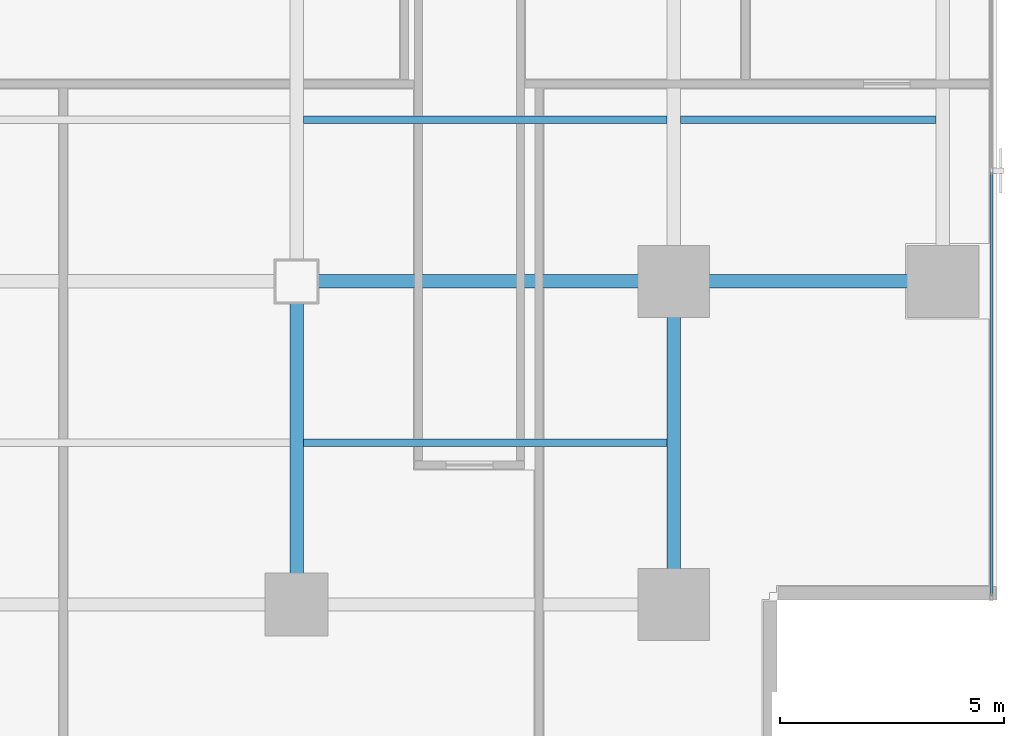
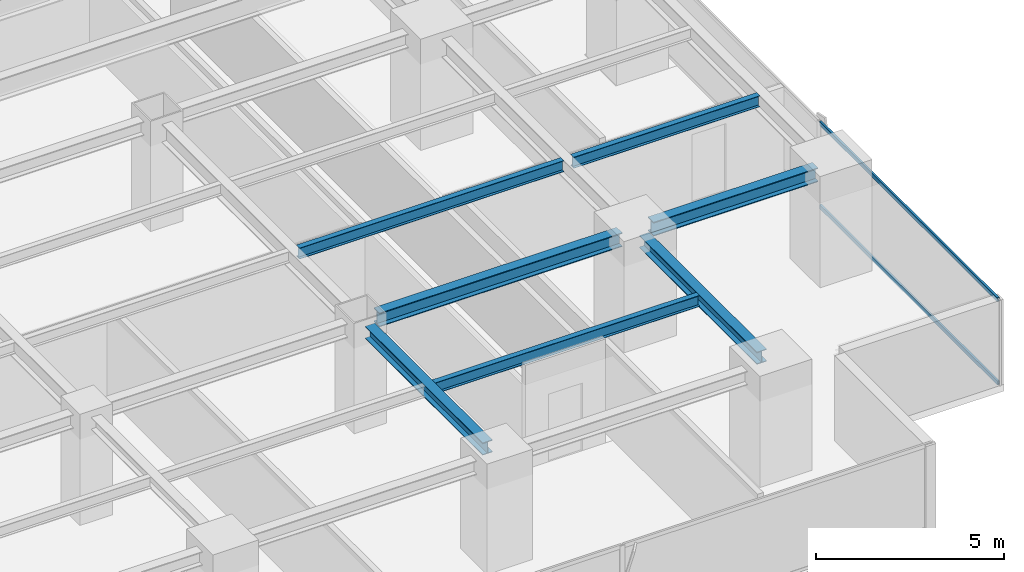
# One storey, part 10 of 28: 7 beams, 2 members, 1 element without a shape of its own.
"""IFC4 building model written with IfcOpenShell, lengths in metres."""

from ifc_helpers import new_model, si_unit, direction, frame, origin, origin_2d, place, context, subcontext, project, spatial, hollow_rectangle, i_section, extrude, source, transform, mapped, material, layer, layer_set, material_profile, profile_set, type_object, element, aggregate, save


model = new_model("IFC4")

# Units and contexts
model_context = context("Model", 3, precision=1e-05, world=origin(), true_north=direction((0.0, 1.0)))
body_context = subcontext(model_context, "Body", "Model", "MODEL_VIEW")
ifc_project = project(units=[si_unit("LENGTHUNIT", "METRE"), si_unit("AREAUNIT", "SQUARE_METRE"), si_unit("VOLUMEUNIT", "CUBIC_METRE"), si_unit("PLANEANGLEUNIT", "RADIAN"), si_unit("MASSUNIT", "GRAM", prefix="KILO")], contexts=[model_context])

# Site, building, storey
site_placement = place(None, origin())
site = spatial("IfcSite", under=ifc_project, at=site_placement, CompositionType="ELEMENT")
building_placement = place(site_placement, origin())
building = spatial("IfcBuilding", under=site, at=building_placement, Name="Sumidabori Civic Tower", CompositionType="ELEMENT")
storey_placement = place(building_placement, frame((0.0, 0.0, 167.60009765625)))
storey = spatial("IfcBuildingStorey", under=building, at=storey_placement, Name="L43", CompositionType="ELEMENT", Elevation=167.60009765625)

# Beams
ifc_material_1 = material(Name="Steel SN490", Category="steel")
ifc_material_profile_1 = material_profile(ifc_material_1, i_section(OverallWidth=0.300048828125, OverallDepth=0.39990234375, WebThickness=0.013427734375, FlangeThickness=0.02392578125, at=origin_2d()), Name="HE 400 B")
ifc_profile_set_1 = profile_set([ifc_material_profile_1], Name="Steel SN490")
beam_type_1 = type_object("IfcBeamType", Name="BM-GIRD-400", PredefinedType="BEAM", material=ifc_profile_set_1)
shared_shape_1 = source(origin(), body_context, "Body", "SweptSolid", [
    extrude(i_section(OverallWidth=0.300048828125, OverallDepth=0.39990234375, WebThickness=0.013427734375, FlangeThickness=0.02392578125, at=origin_2d()), origin(), (0.0, 0.0, 1.0), 6.239990234375),
])
for number, where, z_axis, x_axis, name in (
    (1, (8.39990234375, -17.52001953125, 3.179931640625), (0.0, 1.0, 0.0), (-1.0, 0.0, 0.0), "Primary Girder L43 GY-30"),
    (2, (16.800048828125, -17.52001953125, 3.179931640625), (0.0, 1.0, 0.0), (-1.0, 0.0, 0.0), "Primary Girder L43 GY-32"),
):
    element("IfcBeam", number, at=place(storey_placement, frame(where, z_axis=z_axis, x_axis=x_axis)), inside=storey, type_object=beam_type_1, Name=name, PredefinedType="BEAM", context=body_context, shape_type="MappedRepresentation", body=[
        mapped(shared_shape_1, transform((0.0, 0.0, 0.0), x_axis=(1.0, 0.0, 0.0), y_axis=(0.0, 1.0, 0.0), z_axis=(0.0, 0.0, 1.0), scale=1.0)),
    ])
ifc_material_profile_2 = material_profile(ifc_material_1, i_section(OverallWidth=0.169921875, OverallDepth=0.360107421875, WebThickness=0.008056640625, FlangeThickness=0.0126953125, at=origin_2d()), Name="IPE 360")
ifc_profile_set_2 = profile_set([ifc_material_profile_2], Name="Steel SN490")
beam_type_2 = type_object("IfcBeamType", Name="BM-JST-360", PredefinedType="JOIST", material=ifc_profile_set_2)
shared_shape_2 = source(origin(), body_context, "Body", "SweptSolid", [
    extrude(i_section(OverallWidth=0.169921875, OverallDepth=0.360107421875, WebThickness=0.008056640625, FlangeThickness=0.0126953125, at=origin_2d()), origin(), (0.0, 0.0, 1.0), 5.699951171875),
])
beam_1_placement = place(storey_placement, frame((16.949951171875, -7.199951171875, 3.199951171875), z_axis=(1.0, 0.0, 0.0), x_axis=(0.0, 1.0, 0.0)))
element("IfcBeam", 3, at=beam_1_placement, inside=storey, type_object=beam_type_2, Name="Outer Bay Floor Joist L43 JSTO-40", PredefinedType="JOIST", context=body_context, shape_type="MappedRepresentation", body=[
    mapped(shared_shape_2, transform((0.0, 0.0, 0.0), x_axis=(1.0, 0.0, 0.0), y_axis=(0.0, 1.0, 0.0), z_axis=(0.0, 0.0, 1.0), scale=1.0)),
])
shared_shape_3 = source(origin(), body_context, "Body", "SweptSolid", [
    extrude(i_section(OverallWidth=0.169921875, OverallDepth=0.360107421875, WebThickness=0.008056640625, FlangeThickness=0.0126953125, at=origin_2d()), origin(), (0.0, 0.0, 1.0), 8.099853515625),
])
for number, where, z_axis, x_axis, name in (
    (4, (8.550048828125, -14.39990234375, 3.199951171875), (1.0, 0.0, 0.0), (0.0, 1.0, 0.0), "South Bay Floor Joist L43 JSTS-52"),
    (5, (8.550048828125, -7.199951171875, 3.199951171875), (1.0, 0.0, 0.0), (0.0, 1.0, 0.0), "South Bay Floor Joist L43 JSTS-56"),
):
    element("IfcBeam", number, at=place(storey_placement, frame(where, z_axis=z_axis, x_axis=x_axis)), inside=storey, type_object=beam_type_2, Name=name, PredefinedType="JOIST", context=body_context, shape_type="MappedRepresentation", body=[
        mapped(shared_shape_3, transform((0.0, 0.0, 0.0), x_axis=(1.0, 0.0, 0.0), y_axis=(0.0, 1.0, 0.0), z_axis=(0.0, 0.0, 1.0), scale=1.0)),
    ])
ifc_material_profile_3 = material_profile(ifc_material_1, i_section(OverallWidth=0.300048828125, OverallDepth=0.449951171875, WebThickness=0.013916015625, FlangeThickness=0.02587890625, at=origin_2d()), Name="HE 450 B")
ifc_profile_set_3 = profile_set([ifc_material_profile_3], Name="Steel SN490")
beam_type_3 = type_object("IfcBeamType", Name="BM-GIRD-450", PredefinedType="BEAM", material=ifc_profile_set_3)
shared_shape_4 = source(origin(), body_context, "Body", "SweptSolid", [
    extrude(i_section(OverallWidth=0.300048828125, OverallDepth=0.449951171875, WebThickness=0.013916015625, FlangeThickness=0.02587890625, at=origin_2d()), origin(), (0.0, 0.0, 1.0), 7.440185546875),
])
beam_2_placement = place(storey_placement, frame((8.8798828125, -10.800048828125, 3.15478515625), z_axis=(1.0, 0.0, 0.0), x_axis=(0.0, 1.0, 0.0)))
element("IfcBeam", 6, at=beam_2_placement, inside=storey, type_object=beam_type_3, Name="Primary Girder L43 GX-09", PredefinedType="BEAM", context=body_context, shape_type="MappedRepresentation", body=[
    mapped(shared_shape_4, transform((0.0, 0.0, 0.0), x_axis=(1.0, 0.0, 0.0), y_axis=(0.0, 1.0, 0.0), z_axis=(0.0, 0.0, 1.0), scale=1.0)),
])
shared_shape_5 = source(origin(), body_context, "Body", "SweptSolid", [
    extrude(i_section(OverallWidth=0.300048828125, OverallDepth=0.449951171875, WebThickness=0.013916015625, FlangeThickness=0.02587890625, at=origin_2d()), origin(), (0.0, 0.0, 1.0), 5.0400390625),
])
beam_3_placement = place(storey_placement, frame((17.280029296875, -10.800048828125, 3.15478515625), z_axis=(1.0, 0.0, 0.0), x_axis=(0.0, 1.0, 0.0)))
element("IfcBeam", 7, at=beam_3_placement, inside=storey, type_object=beam_type_3, Name="Primary Girder L43 GX-10", PredefinedType="BEAM", context=body_context, shape_type="MappedRepresentation", body=[
    mapped(shared_shape_5, transform((0.0, 0.0, 0.0), x_axis=(1.0, 0.0, 0.0), y_axis=(0.0, 1.0, 0.0), z_axis=(0.0, 0.0, 1.0), scale=1.0)),
])

# Curtain wall, members
ifc_material_2 = material(Name="Anodised Bronze Aluminium AW-6063-T6", Category="aluminium")
ifc_layer = layer(ifc_material_2, 0.179931640625, Name="Anodised Bronze Aluminium AW-6063-T6")
ifc_layer_set = layer_set([ifc_layer], Name="Anodised Bronze Aluminium AW-6063-T6")
curtain_wall_type = type_object("IfcCurtainWallType", Name="CW-SYS-3", PredefinedType="NOTDEFINED", material=ifc_layer_set)
curtain_wall_placement = place(storey_placement, origin())
curtain_wall = element("IfcCurtainWall", 8, at=curtain_wall_placement, inside=storey, type_object=curtain_wall_type, Name="Curtain Wall CW:L43:R04", PredefinedType="NOTDEFINED")
ifc_material_profile_4 = material_profile(ifc_material_2, hollow_rectangle(XDim=0.06005859375, YDim=0.1298828125, WallThickness=0.0048828125, at=origin_2d()), Name="ALU TRANSOM 130x60")
ifc_profile_set_4 = profile_set([ifc_material_profile_4], Name="Anodised Bronze Aluminium AW-6063-T6")
member_type = type_object("IfcMemberType", Name="CW-TRN-130", PredefinedType="USERDEFINED", material=ifc_profile_set_4)
shared_shape_6 = source(origin(), body_context, "Body", "SweptSolid", [
    extrude(hollow_rectangle(XDim=0.06005859375, YDim=0.1298828125, WallThickness=0.0048828125, at=origin_2d()), origin(), (0.0, 0.0, 1.0), 9.4375),
])
member_1_placement = place(storey_placement, frame((23.8798828125, -17.804931640625, 0.02978515625), z_axis=(0.0, 1.0, 0.0), x_axis=(-1.0, 0.0, 0.0)))
member_1 = element("IfcMember", 9, at=member_1_placement, type_object=member_type, Name="CW-3 transom 1.1", ObjectType="TRANSOM", PredefinedType="USERDEFINED", context=body_context, shape_type="MappedRepresentation", body=[
    mapped(shared_shape_6, transform((0.0, 0.0, 0.0), x_axis=(1.0, 0.0, 0.0), y_axis=(0.0, 1.0, 0.0), z_axis=(0.0, 0.0, 1.0), scale=1.0)),
])
member_2_placement = place(storey_placement, frame((23.8798828125, -17.804931640625, 2.72998046875), z_axis=(0.0, 1.0, 0.0), x_axis=(-1.0, 0.0, 0.0)))
member_2 = element("IfcMember", 10, at=member_2_placement, type_object=member_type, Name="CW-3 transom 1.2", ObjectType="TRANSOM", PredefinedType="USERDEFINED", context=body_context, shape_type="MappedRepresentation", body=[
    mapped(shared_shape_6, transform((0.0, 0.0, 0.0), x_axis=(1.0, 0.0, 0.0), y_axis=(0.0, 1.0, 0.0), z_axis=(0.0, 0.0, 1.0), scale=1.0)),
])
aggregate(curtain_wall, [member_1, member_2])

save(model, "model.ifc")
